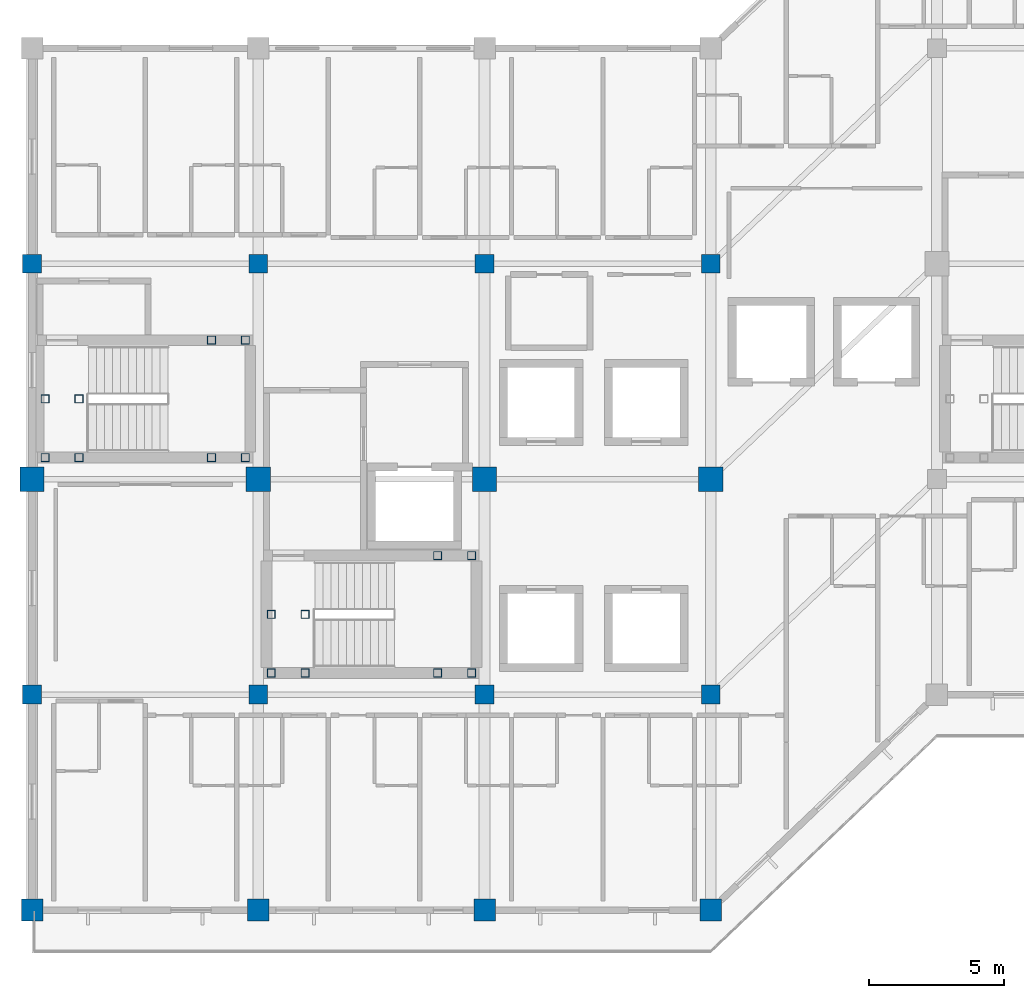
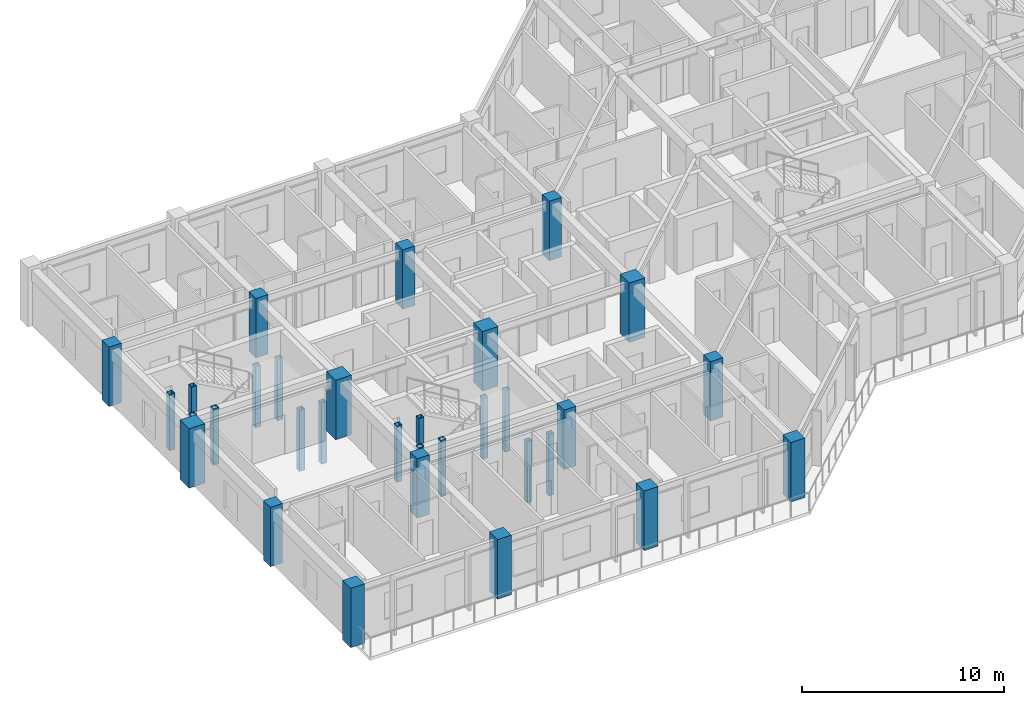
# One storey, part 1 of 17: 32 columns.
"""IFC4 building model written with IfcOpenShell, lengths in metres."""

import ifcopenshell
import ifcopenshell.guid

model = None  # the IFC model being written
_history = None  # IfcOwnerHistory: only IFC2X3 demands one
_inside = {}  # id of a spatial element -> (the spatial element, [elements in it])
_under = {}  # id of a project, library or spatial element -> (it, [spatial elements below it])
_declared = {}  # id of a project -> (the project, [libraries it declares])
_typed = {}  # id of a type object -> (the type object, [elements of that type])
_made_of = {}  # id of a material, layer set ... -> (it, [elements and type objects made of it])


def new_model(schema):
    """Start an empty IFC model of exactly this schema.

    Asked for "IFC4X3", IfcOpenShell would pick the latest addendum, in which some entities
    have other attributes; the version numbers below select the first issue.
    IFC2X3 requires an IfcOwnerHistory on every rooted entity: one is made here for all.
    """
    global model, _history
    if schema == "IFC4X3":
        model = ifcopenshell.file(schema_version=(4, 3, 0, 0))
    else:
        model = ifcopenshell.file(schema=schema)
    _inside.clear()
    _under.clear()
    _declared.clear()
    _typed.clear()
    _made_of.clear()
    _history = None
    if model.schema == "IFC2X3":
        org = make("IfcOrganization", Name="unknown")
        user = make(
            "IfcPersonAndOrganization",
            ThePerson=make("IfcPerson", FamilyName="unknown"),
            TheOrganization=org,
        )
        app = make(
            "IfcApplication",
            ApplicationDeveloper=org,
            Version="unknown",
            ApplicationFullName="unknown",
            ApplicationIdentifier="unknown",
        )
        _history = make(
            "IfcOwnerHistory",
            OwningUser=user,
            OwningApplication=app,
            ChangeAction="ADDED",
            CreationDate=0,
        )
    return model


def make(cls, **values):
    """One entity of the class cls with the attributes given. An attribute that is None is left unset."""
    return model.create_entity(
        cls, **{name: value for name, value in values.items() if value is not None}
    )


def rooted(cls, **values):
    """An entity with a GlobalId (a new one), such as an element, a storey or a relation."""
    return make(cls, GlobalId=ifcopenshell.guid.new(), OwnerHistory=_history, **values)


def si_unit(unit_type, name, prefix=None):
    """IfcSIUnit, for example si_unit("LENGTHUNIT", "METRE", prefix="MILLI")."""
    return make("IfcSIUnit", UnitType=unit_type, Prefix=prefix, Name=name)


def assignment(units):
    """IfcUnitAssignment: the units of a project."""
    return None if units is None else make("IfcUnitAssignment", Units=units)


def point(xyz):
    """IfcCartesianPoint."""
    return None if xyz is None else make("IfcCartesianPoint", Coordinates=xyz)


def direction(xyz):
    """IfcDirection."""
    return None if xyz is None else make("IfcDirection", DirectionRatios=xyz)


def frame(location, z_axis=None, x_axis=None):
    """IfcAxis2Placement3D, a coordinate frame: its origin and axes. An axis left out is left unset."""
    return make(
        "IfcAxis2Placement3D",
        Location=point(location),
        Axis=direction(z_axis),
        RefDirection=direction(x_axis),
    )


def frame_2d(location, x_axis=None):
    """IfcAxis2Placement2D, a coordinate frame in the plane: its origin and x axis."""
    return make(
        "IfcAxis2Placement2D", Location=point(location), RefDirection=direction(x_axis)
    )


def origin():
    """The frame at (0, 0, 0) with its axes left unset."""
    return frame((0.0, 0.0, 0.0))


def origin_2d():
    """The frame at (0, 0) in the plane with its x axis left unset."""
    return frame_2d((0.0, 0.0))


def place(relative_to, where):
    """IfcLocalPlacement: puts the frame where relative to a parent placement (None: the world)."""
    return make(
        "IfcLocalPlacement", PlacementRelTo=relative_to, RelativePlacement=where
    )


def context(
    kind, dimensions, precision=None, world=None, true_north=None, identifier=None
):
    """IfcGeometricRepresentationContext, for example the 3D "Model" context."""
    return make(
        "IfcGeometricRepresentationContext",
        ContextIdentifier=identifier,
        ContextType=kind,
        CoordinateSpaceDimension=dimensions,
        Precision=precision,
        WorldCoordinateSystem=world,
        TrueNorth=true_north,
    )


def subcontext(parent, identifier, kind, view, scale=None):
    """IfcGeometricRepresentationSubContext, for example "Body" below "Model"."""
    return make(
        "IfcGeometricRepresentationSubContext",
        ContextIdentifier=identifier,
        ContextType=kind,
        ParentContext=parent,
        TargetScale=scale,
        TargetView=view,
    )


def project(units=None, contexts=None):
    """IfcProject with its units and contexts."""
    return rooted(
        "IfcProject",
        Name="project",
        RepresentationContexts=contexts,
        UnitsInContext=assignment(units),
    )


def spatial(cls, under=None, at=None, **own):
    """A site, building, storey or space (cls), placed at a placement, below another one or the project."""
    s = rooted(cls, ObjectPlacement=at, **own)
    if under is not None:
        _under.setdefault(under.id(), (under, []))[1].append(s)
    return s


def profile(cls, at=None, kind="AREA", **sizes):
    """A parametric profile (cls). Its sizes go by their IFC names, for example OverallWidth=200.0."""
    return make(cls, ProfileType=kind, Position=at, **sizes)


def rectangle(**sizes):
    """IfcRectangleProfileDef."""
    return profile("IfcRectangleProfileDef", **sizes)


def hollow_rectangle(**sizes):
    """IfcRectangleHollowProfileDef."""
    return profile("IfcRectangleHollowProfileDef", **sizes)


def extrude(swept, where, along, depth):
    """IfcExtrudedAreaSolid: the profile swept, set in the frame where, extruded along a direction by depth."""
    return make(
        "IfcExtrudedAreaSolid",
        SweptArea=swept,
        Position=where,
        ExtrudedDirection=direction(along),
        Depth=depth,
    )


def shape(context_of_items, identifier, shape_type, items):
    """IfcShapeRepresentation: the items that make up one representation, for example the "Body"."""
    return make(
        "IfcShapeRepresentation",
        ContextOfItems=context_of_items,
        RepresentationIdentifier=identifier,
        RepresentationType=shape_type,
        Items=items,
    )


def material(Name=None, Category=None):
    """IfcMaterial."""
    return make("IfcMaterial", Name=Name, Category=Category)


def material_profile(
    of_material, cross_section, Name=None, Category=None, Priority=None
):
    """IfcMaterialProfile: a cross section and its material."""
    return make(
        "IfcMaterialProfile",
        Name=Name,
        Material=of_material,
        Profile=cross_section,
        Priority=Priority,
        Category=Category,
    )


def profile_set(profiles, Name=None, composite=None):
    """IfcMaterialProfileSet."""
    return make(
        "IfcMaterialProfileSet",
        Name=Name,
        MaterialProfiles=profiles,
        CompositeProfile=composite,
    )


def made_of(thing, what):
    """Note that an element or type object is made of a material, layer set ...; save() writes the relation."""
    if what is not None:
        _made_of.setdefault(what.id(), (what, []))[1].append(thing)
    return thing


def type_object(cls, material=None, **own):
    """A type object (cls), such as IfcWallType, which elements share."""
    return made_of(rooted(cls, **own), material)


def element(
    cls,
    number,
    at=None,
    inside=None,
    cuts=None,
    type_object=None,
    material=None,
    context=None,
    identifier="Body",
    shape_type=None,
    held_by="IfcProductDefinitionShape",
    body=None,
    shapes=None,
    **own,
):
    """One element of the class cls, such as IfcWall. Its Tag is "e" and its number.

    at: its placement. inside: the storey or other place that contains it. cuts: it is an
    opening in that element (IfcRelVoidsElement). A single representation is given by context,
    identifier, shape_type and body (its items); several are given by shapes. held_by: the class
    of the entity that holds the representations. save() writes the other relations.
    """
    e = rooted(cls, Tag="e%d" % number, ObjectPlacement=at, **own)
    if body is not None:
        shapes = [shape(context, identifier, shape_type, body)]
    if shapes is not None:
        e.Representation = make(held_by, Representations=shapes)
    if inside is not None:
        _inside.setdefault(inside.id(), (inside, []))[1].append(e)
    if cuts is not None:
        rooted(
            "IfcRelVoidsElement", RelatingBuildingElement=cuts, RelatedOpeningElement=e
        )
    if type_object is not None:
        _typed.setdefault(type_object.id(), (type_object, []))[1].append(e)
    return made_of(e, material)


def aggregate(whole, parts):
    """IfcRelAggregates: a whole, such as a stair, and the parts it consists of."""
    return rooted("IfcRelAggregates", RelatingObject=whole, RelatedObjects=parts)


def save(model, path):
    """Write the relations noted so far, then the file.

    IfcRelAggregates (storeys below a building ...), IfcRelContainedInSpatialStructure (elements
    in a storey), IfcRelDefinesByType, IfcRelAssociatesMaterial and IfcRelDeclares: one each for
    every whole, place, type object, material and project.
    """
    for whole, parts in _under.values():
        aggregate(whole, parts)
    for where, things in _inside.values():
        rooted(
            "IfcRelContainedInSpatialStructure",
            RelatedElements=things,
            RelatingStructure=where,
        )
    for kind, things in _typed.values():
        rooted("IfcRelDefinesByType", RelatedObjects=things, RelatingType=kind)
    for what, things in _made_of.values():
        rooted("IfcRelAssociatesMaterial", RelatedObjects=things, RelatingMaterial=what)
    for by, libraries in _declared.values():
        rooted("IfcRelDeclares", RelatingContext=by, RelatedDefinitions=libraries)
    model.write(path)


model = new_model("IFC4")

# Units and contexts
model_context = context("Model", 3, precision=1e-05, world=origin(), true_north=direction((0.0, 1.0)))
body_context = subcontext(model_context, "Body", "Model", "MODEL_VIEW")
ifc_project = project(units=[si_unit("LENGTHUNIT", "METRE"), si_unit("AREAUNIT", "SQUARE_METRE"), si_unit("VOLUMEUNIT", "CUBIC_METRE"), si_unit("PLANEANGLEUNIT", "RADIAN"), si_unit("MASSUNIT", "GRAM", prefix="KILO")], contexts=[model_context])

# Site, building, storey
site_placement = place(None, origin())
site = spatial("IfcSite", under=ifc_project, at=site_placement, CompositionType="ELEMENT")
building_placement = place(site_placement, origin())
building = spatial("IfcBuilding", under=site, at=building_placement, Name="Naruveol Harbour Congress Hotel", CompositionType="ELEMENT")
storey_placement = place(building_placement, frame((0.0, 0.0, 25.199951171875)))
storey = spatial("IfcBuildingStorey", under=building, at=storey_placement, Name="L05", CompositionType="ELEMENT", Elevation=25.199951171875)

# Columns
ifc_material_1 = material(Name="Concrete C40/50", Category="concrete")
ifc_material_profile_1 = material_profile(ifc_material_1, rectangle(XDim=0.699951171875, YDim=0.699951171875, at=origin_2d()), Name="RC-700x700")
ifc_profile_set_1 = profile_set([ifc_material_profile_1], Name="Concrete C40/50")
column_type_1 = type_object("IfcColumnType", Name="RC HOTEL COLUMN 700X700", PredefinedType="COLUMN", material=ifc_profile_set_1)
for number, where, z_axis, x_axis, name in (
    (1, (117.60009765625, 8.0, 0.0), (0.0, 0.0, 1.0), (1.0, 0.0, 0.0), "Planted hotel column C-700 L05 S0/J1"),
    (2, (117.60009765625, 24.0, 0.0), (0.0, 0.0, 1.0), (1.0, 0.0, 0.0), "Planted hotel column C-700 L05 S0/J3"),
    (3, (126.0, 8.0, 0.0), (0.0, 0.0, 1.0), (1.0, 0.0, 0.0), "Planted hotel column C-700 L05 S1/J1"),
    (4, (126.0, 24.0, 0.0), (0.0, 0.0, 1.0), (1.0, 0.0, 0.0), "Planted hotel column C-700 L05 S1/J3"),
    (5, (134.39990234375, 8.0, 0.0), (0.0, 0.0, 1.0), (1.0, 0.0, 0.0), "Planted hotel column C-700 L05 S2/J1"),
    (6, (134.39990234375, 24.0, 0.0), (0.0, 0.0, 1.0), (1.0, 0.0, 0.0), "Planted hotel column C-700 L05 S2/J3"),
    (7, (142.800048828125, 8.0, 0.0), (0.0, 0.0, 1.0), (1.0, 0.0, 0.0), "Planted hotel column C-700 L05 S3/J1"),
    (8, (142.800048828125, 24.0, 0.0), (0.0, 0.0, 1.0), (1.0, 0.0, 0.0), "Planted hotel column C-700 L05 S3/J3"),
):
    element("IfcColumn", number, at=place(storey_placement, frame(where, z_axis=z_axis, x_axis=x_axis)), inside=storey, type_object=column_type_1, Name=name, PredefinedType="COLUMN", context=body_context, shape_type="SweptSolid", body=[
        extrude(rectangle(XDim=0.699951171875, YDim=0.699951171875, at=origin_2d()), origin(), (0.0, 0.0, 1.0), 3.60009765625),
    ])
ifc_material_2 = material(Name="Concrete C50/60", Category="concrete")
ifc_material_profile_2 = material_profile(ifc_material_2, rectangle(XDim=0.800048828125, YDim=0.800048828125, at=origin_2d()), Name="RC-800x800")
ifc_profile_set_2 = profile_set([ifc_material_profile_2], Name="Concrete C50/60")
column_type_2 = type_object("IfcColumnType", Name="RC PODIUM COLUMN 800X800", PredefinedType="COLUMN", material=ifc_profile_set_2)
for number, where, z_axis, x_axis, name in (
    (9, (117.60009765625, 0.0, 0.0), (0.0, 0.0, 1.0), (1.0, 0.0, 0.0), "Column C-800 L05 (117.6,0.0)"),
    (10, (126.0, 0.0, 0.0), (0.0, 0.0, 1.0), (1.0, 0.0, 0.0), "Column C-800 L05 (126.0,0.0)"),
    (11, (134.39990234375, 0.0, 0.0), (0.0, 0.0, 1.0), (1.0, 0.0, 0.0), "Column C-800 L05 (134.4,0.0)"),
    (12, (142.800048828125, 0.0, 0.0), (0.0, 0.0, 1.0), (1.0, 0.0, 0.0), "Column C-800 L05 (142.8,0.0)"),
):
    element("IfcColumn", number, at=place(storey_placement, frame(where, z_axis=z_axis, x_axis=x_axis)), inside=storey, type_object=column_type_2, Name=name, PredefinedType="COLUMN", context=body_context, shape_type="SweptSolid", body=[
        extrude(rectangle(XDim=0.800048828125, YDim=0.800048828125, at=origin_2d()), origin(), (0.0, 0.0, 1.0), 3.60009765625),
    ])
ifc_material_3 = material(Name="Concrete C50/60", Category="concrete")
ifc_material_profile_3 = material_profile(ifc_material_3, rectangle(XDim=0.89990234375, YDim=0.89990234375, at=origin_2d()), Name="RC-900x900")
ifc_profile_set_3 = profile_set([ifc_material_profile_3], Name="Concrete C50/60")
column_type_3 = type_object("IfcColumnType", Name="RC PRIMARY COLUMN 900X900", PredefinedType="COLUMN", material=ifc_profile_set_3)
for number, where, z_axis, x_axis, name in (
    (13, (117.60009765625, 16.0, 0.0), (0.0, 0.0, 1.0), (1.0, 0.0, 0.0), "Column C-900 L05 (117.6,16.0)"),
    (14, (126.0, 16.0, 0.0), (0.0, 0.0, 1.0), (1.0, 0.0, 0.0), "Column C-900 L05 (126.0,16.0)"),
    (15, (134.39990234375, 16.0, 0.0), (0.0, 0.0, 1.0), (1.0, 0.0, 0.0), "Column C-900 L05 (134.4,16.0)"),
    (16, (142.800048828125, 16.0, 0.0), (0.0, 0.0, 1.0), (1.0, 0.0, 0.0), "Column C-900 L05 (142.8,16.0)"),
):
    element("IfcColumn", number, at=place(storey_placement, frame(where, z_axis=z_axis, x_axis=x_axis)), inside=storey, type_object=column_type_3, Name=name, PredefinedType="COLUMN", context=body_context, shape_type="SweptSolid", body=[
        extrude(rectangle(XDim=0.89990234375, YDim=0.89990234375, at=origin_2d()), origin(), (0.0, 0.0, 1.0), 3.60009765625),
    ])
ifc_material_4 = material(Name="Steel SN490", Category="steel")
ifc_material_profile_4 = material_profile(ifc_material_4, hollow_rectangle(XDim=0.300048828125, YDim=0.300048828125, WallThickness=0.011962890625, at=origin_2d()), Name="SHS-300x300x12")
ifc_profile_set_4 = profile_set([ifc_material_profile_4], Name="Steel SN490")
column_type_4 = type_object("IfcColumnType", Name="STEEL COLONNADE POST SHS300", PredefinedType="COLUMN", material=ifc_profile_set_4)
for number, where, z_axis, x_axis, name in (
    (17, (126.47998046875, 8.800048828125, 0.0), (0.0, 0.0, 1.0), (1.0, 0.0, 0.0), "Stair landing support post ST1W #7"),
    (18, (126.47998046875, 10.97998046875, 0.0), (0.0, 0.0, 1.0), (1.0, 0.0, 0.0), "Stair landing support post ST1W #19"),
    (19, (127.739990234375, 8.800048828125, 0.0), (0.0, 0.0, 1.0), (1.0, 0.0, 0.0), "Stair landing support post ST1W #31"),
    (20, (127.739990234375, 10.97998046875, 0.0), (0.0, 0.0, 1.0), (1.0, 0.0, 0.0), "Stair landing support post ST1W #43"),
):
    element("IfcColumn", number, at=place(storey_placement, frame(where, z_axis=z_axis, x_axis=x_axis)), inside=storey, type_object=column_type_4, Name=name, PredefinedType="COLUMN", context=body_context, shape_type="SweptSolid", body=[
        extrude(hollow_rectangle(XDim=0.300048828125, YDim=0.300048828125, WallThickness=0.011962890625, at=origin_2d()), origin(), (0.0, 0.0, 1.0), 3.420166015625),
    ])
for number, where, z_axis, x_axis, name in (
    (21, (132.659912109375, 8.800048828125, -2.099853515625), (0.0, 0.0, 1.0), (1.0, 0.0, 0.0), "Stair landing support post ST1E #55"),
    (22, (132.659912109375, 13.159912109375, -2.099853515625), (0.0, 0.0, 1.0), (1.0, 0.0, 0.0), "Stair landing support post ST1E #67"),
    (23, (133.919921875, 8.800048828125, -2.099853515625), (0.0, 0.0, 1.0), (1.0, 0.0, 0.0), "Stair landing support post ST1E #79"),
    (24, (133.919921875, 13.159912109375, -2.099853515625), (0.0, 0.0, 1.0), (1.0, 0.0, 0.0), "Stair landing support post ST1E #91"),
):
    element("IfcColumn", number, at=place(storey_placement, frame(where, z_axis=z_axis, x_axis=x_axis)), inside=storey, type_object=column_type_4, Name=name, PredefinedType="COLUMN", context=body_context, shape_type="SweptSolid", body=[
        extrude(hollow_rectangle(XDim=0.300048828125, YDim=0.300048828125, WallThickness=0.011962890625, at=origin_2d()), origin(), (0.0, 0.0, 1.0), 3.719970703125),
    ])
for number, where, z_axis, x_axis, name in (
    (25, (118.080078125, 16.800048828125, 0.0), (0.0, 0.0, 1.0), (1.0, 0.0, 0.0), "Stair landing support post ST3W #199"),
    (26, (118.080078125, 18.97998046875, 0.0), (0.0, 0.0, 1.0), (1.0, 0.0, 0.0), "Stair landing support post ST3W #209"),
    (27, (119.340087890625, 16.800048828125, 0.0), (0.0, 0.0, 1.0), (1.0, 0.0, 0.0), "Stair landing support post ST3W #219"),
    (28, (119.340087890625, 18.97998046875, 0.0), (0.0, 0.0, 1.0), (1.0, 0.0, 0.0), "Stair landing support post ST3W #229"),
):
    element("IfcColumn", number, at=place(storey_placement, frame(where, z_axis=z_axis, x_axis=x_axis)), inside=storey, type_object=column_type_4, Name=name, PredefinedType="COLUMN", context=body_context, shape_type="SweptSolid", body=[
        extrude(hollow_rectangle(XDim=0.300048828125, YDim=0.300048828125, WallThickness=0.011962890625, at=origin_2d()), origin(), (0.0, 0.0, 1.0), 3.420166015625),
    ])
for number, where, z_axis, x_axis, name in (
    (29, (124.260009765625, 16.800048828125, -2.099853515625), (0.0, 0.0, 1.0), (1.0, 0.0, 0.0), "Stair landing support post ST3E #239"),
    (30, (124.260009765625, 21.159912109375, -2.099853515625), (0.0, 0.0, 1.0), (1.0, 0.0, 0.0), "Stair landing support post ST3E #249"),
    (31, (125.52001953125, 16.800048828125, -2.099853515625), (0.0, 0.0, 1.0), (1.0, 0.0, 0.0), "Stair landing support post ST3E #259"),
    (32, (125.52001953125, 21.159912109375, -2.099853515625), (0.0, 0.0, 1.0), (1.0, 0.0, 0.0), "Stair landing support post ST3E #269"),
):
    element("IfcColumn", number, at=place(storey_placement, frame(where, z_axis=z_axis, x_axis=x_axis)), inside=storey, type_object=column_type_4, Name=name, PredefinedType="COLUMN", context=body_context, shape_type="SweptSolid", body=[
        extrude(hollow_rectangle(XDim=0.300048828125, YDim=0.300048828125, WallThickness=0.011962890625, at=origin_2d()), origin(), (0.0, 0.0, 1.0), 3.719970703125),
    ])

save(model, "model.ifc")
